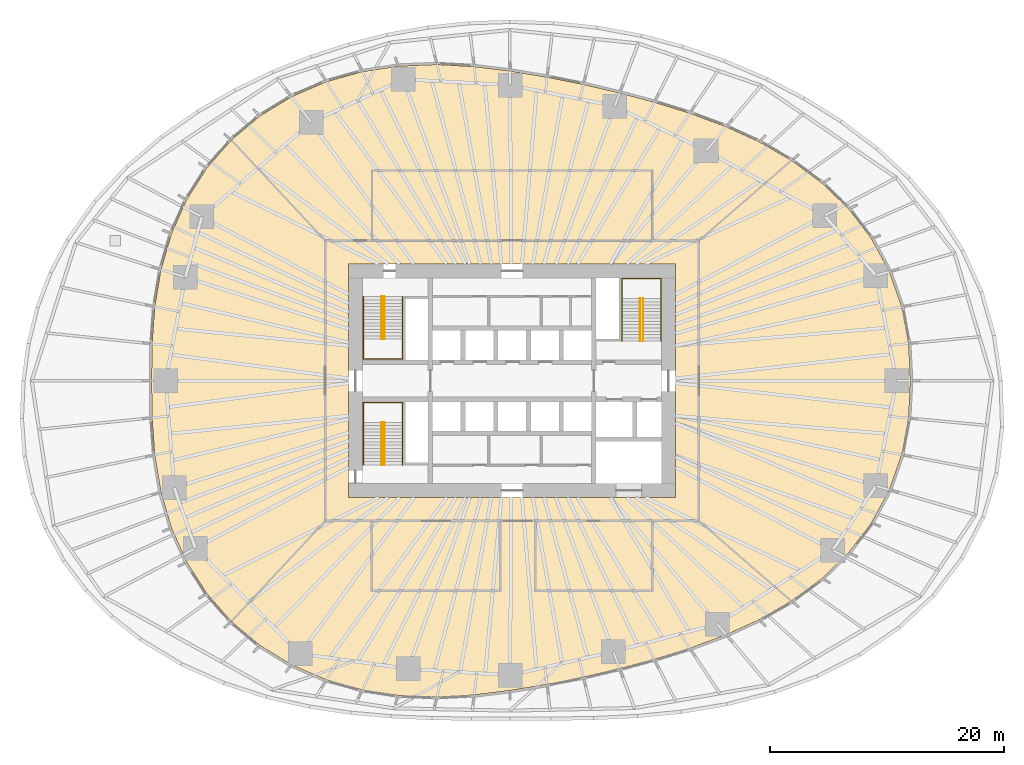
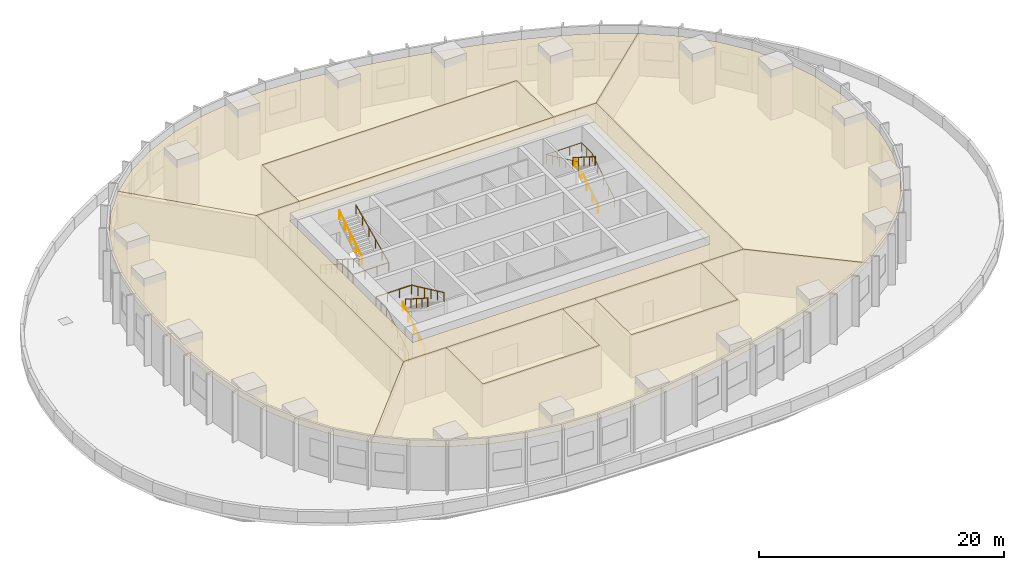
# One storey, part 11 of 11: 9 railings, 8 coverings.
"""IFC4 building model written with IfcOpenShell, lengths in metres."""

from ifc_helpers import new_model, si_unit, direction, frame, origin, origin_2d, place, context, subcontext, project, spatial, polyline, circle, outline, extrude, material, layer, layer_set, type_object, element, save


model = new_model("IFC4")

# Units and contexts
model_context = context("Model", 3, precision=1e-05, world=origin(), true_north=direction((0.0, 1.0)))
body_context = subcontext(model_context, "Body", "Model", "MODEL_VIEW")
ifc_project = project(units=[si_unit("LENGTHUNIT", "METRE"), si_unit("AREAUNIT", "SQUARE_METRE"), si_unit("VOLUMEUNIT", "CUBIC_METRE"), si_unit("PLANEANGLEUNIT", "RADIAN"), si_unit("MASSUNIT", "GRAM", prefix="KILO")], contexts=[model_context])

# Site, building, storey
site_placement = place(None, origin())
site = spatial("IfcSite", under=ifc_project, at=site_placement, CompositionType="ELEMENT")
building_placement = place(site_placement, origin())
building = spatial("IfcBuilding", under=site, at=building_placement, Name="Ghaith Harvest Tower", CompositionType="ELEMENT")
storey_placement = place(building_placement, frame((0.0, 0.0, 15.0)))
storey = spatial("IfcBuildingStorey", under=building, at=storey_placement, Name="L03", CompositionType="ELEMENT", Elevation=15.0)

# Coverings
ifc_material_1 = material(Name="Mineral fibre ceiling tile", Category="gypsum")
ifc_layer = layer(ifc_material_1, 0.02490234375)
ifc_layer_set = layer_set([ifc_layer], Name="CEILING C2")
covering_type = type_object("IfcCoveringType", Name="CEILING C2", PredefinedType="CEILING", material=ifc_layer_set)
covering_1_placement = place(storey_placement, frame((0.0, 0.0, 4.199951171875)))
element("IfcCovering", 1, at=covering_1_placement, inside=storey, type_object=covering_type, Name="Ceiling L03-01", PredefinedType="CEILING", context=body_context, shape_type="SweptSolid", body=[
    extrude(outline(polyline([(-12.0, 12.0), (12.0, 12.0), (12.0, 18.0), (-12.0, 18.0), (-12.0, 12.0)])), origin(), (0.0, 0.0, 1.0), 0.025146484375),
])
covering_2_placement = place(storey_placement, frame((0.0, 0.0, 4.199951171875)))
element("IfcCovering", 2, at=covering_2_placement, inside=storey, type_object=covering_type, Name="Ceiling L03-02", PredefinedType="CEILING", context=body_context, shape_type="SweptSolid", body=[
    extrude(outline(polyline([(-12.0, -18.0), (-1.0, -18.0), (-1.0, -12.0), (-12.0, -12.0), (-12.0, -18.0)])), origin(), (0.0, 0.0, 1.0), 0.025146484375),
])
covering_3_placement = place(storey_placement, frame((0.0, 0.0, 4.199951171875)))
element("IfcCovering", 3, at=covering_3_placement, inside=storey, type_object=covering_type, Name="Ceiling L03-03", PredefinedType="CEILING", context=body_context, shape_type="SweptSolid", body=[
    extrude(outline(polyline([(2.0, -18.0), (12.0, -18.0), (12.0, -12.0), (2.0, -12.0), (2.0, -18.0)])), origin(), (0.0, 0.0, 1.0), 0.025146484375),
])
covering_4_placement = place(storey_placement, frame((0.0, 0.0, 4.199951171875)))
element("IfcCovering", 4, at=covering_4_placement, inside=storey, type_object=covering_type, Name="Ceiling L03-C1", PredefinedType="CEILING", context=body_context, shape_type="SweptSolid", body=[
    extrude(outline(polyline([(-16.0, 12.0), (16.0, 12.0), (16.0, -12.0), (-16.0, -12.0), (-16.0, 12.0)]), holes=[polyline([(14.0, -10.0), (14.0, 10.0), (-14.0, 10.0), (-14.0, -10.0), (14.0, -10.0)])]), origin(), (0.0, 0.0, 1.0), 0.025146484375),
])
covering_5_placement = place(storey_placement, frame((0.0, 0.0, 4.199951171875)))
element("IfcCovering", 5, at=covering_5_placement, inside=storey, type_object=covering_type, Name="Ceiling L03-N1", PredefinedType="CEILING", context=body_context, shape_type="SweptSolid", body=[
    extrude(outline(polyline([(-21.59912109375, 22.671142578125), (-18.8935546875, 24.32763671875), (-15.907958984375, 25.614501953125), (-12.828125, 26.476806640625), (-9.733642578125, 26.949951171875), (-6.4375, 27.0849609375), (-3.24755859375, 26.91064453125), (-0.181396484375, 26.527099609375), (2.99560546875, 26.004150390625), (6.10888671875, 25.378662109375), (9.21533203125, 24.65087890625), (12.1796875, 23.857666015625), (15.22119140625, 22.916259765625), (18.34521484375, 21.7548828125), (21.149169921875, 20.469482421875), (23.92431640625, 18.873046875), (16.0, 12.0), (12.0, 12.0), (12.0, 18.0), (-12.0, 18.0), (-12.0, 12.0), (-16.0, 12.0), (-24.04833984375, 20.618408203125), (-21.59912109375, 22.671142578125)])), origin(), (0.0, 0.0, 1.0), 0.025146484375),
])
covering_6_placement = place(storey_placement, frame((0.0, 0.0, 4.199951171875)))
element("IfcCovering", 6, at=covering_6_placement, inside=storey, type_object=covering_type, Name="Ceiling L03-E1", PredefinedType="CEILING", context=body_context, shape_type="SweptSolid", body=[
    extrude(outline(polyline([(26.572509765625, -16.9111328125), (23.92431640625, -18.873046875), (16.0, -12.0), (16.0, 12.0), (23.92431640625, 18.873046875), (26.572509765625, 16.9111328125), (28.840087890625, 14.708984375), (30.78515625, 12.1708984375), (32.318359375, 9.3408203125), (33.37158203125, 6.333984375), (33.95849609375, 3.194091796875), (34.125, 0.0), (33.95849609375, -3.194091796875), (33.37158203125, -6.333984375), (32.318359375, -9.3408203125), (30.78515625, -12.1708984375), (28.840087890625, -14.708984375), (26.572509765625, -16.9111328125)])), origin(), (0.0, 0.0, 1.0), 0.025146484375),
])
covering_7_placement = place(storey_placement, frame((0.0, 0.0, 4.199951171875)))
element("IfcCovering", 7, at=covering_7_placement, inside=storey, type_object=covering_type, Name="Ceiling L03-S1", PredefinedType="CEILING", context=body_context, shape_type="SweptSolid", body=[
    extrude(outline(polyline([(21.149169921875, -20.469482421875), (18.34521484375, -21.7548828125), (15.22119140625, -22.916259765625), (12.1796875, -23.857666015625), (9.21533203125, -24.65087890625), (6.10888671875, -25.378662109375), (2.99560546875, -26.004150390625), (-0.181396484375, -26.527099609375), (-3.24755859375, -26.91064453125), (-6.4375, -27.0849609375), (-9.733642578125, -26.949951171875), (-12.828125, -26.476806640625), (-15.907958984375, -25.614501953125), (-18.8935546875, -24.32763671875), (-21.59912109375, -22.671142578125), (-24.04833984375, -20.618408203125), (-16.0, -12.0), (-12.0, -12.0), (-12.0, -18.0), (-1.0, -18.0), (-1.0, -12.0), (2.0, -12.0), (2.0, -18.0), (12.0, -18.0), (12.0, -12.0), (16.0, -12.0), (23.92431640625, -18.873046875), (21.149169921875, -20.469482421875)])), origin(), (0.0, 0.0, 1.0), 0.025146484375),
])
covering_8_placement = place(storey_placement, frame((0.0, 0.0, 4.199951171875)))
element("IfcCovering", 8, at=covering_8_placement, inside=storey, type_object=covering_type, Name="Ceiling L03-W1", PredefinedType="CEILING", context=body_context, shape_type="SweptSolid", body=[
    extrude(outline(polyline([(-26.16455078125, -18.20556640625), (-27.881591796875, -15.507080078125), (-29.182373046875, -12.587890625), (-30.073974609375, -9.531005859375), (-30.606689453125, -6.35107421875), (-30.837158203125, -3.165771484375), (-30.875, 0.0), (-30.837158203125, 3.165771484375), (-30.606689453125, 6.35107421875), (-30.073974609375, 9.531005859375), (-29.182373046875, 12.587890625), (-27.881591796875, 15.507080078125), (-26.16455078125, 18.20556640625), (-24.04833984375, 20.618408203125), (-16.0, 12.0), (-16.0, -12.0), (-24.04833984375, -20.618408203125), (-26.16455078125, -18.20556640625)])), origin(), (0.0, 0.0, 1.0), 0.025146484375),
])

# Railings
ifc_material_2 = material(Name="Steel, black powder-coated", Category="steel")
railing_type = type_object("IfcRailingType", Name="HANDRAIL HR1", PredefinedType="HANDRAIL", material=ifc_material_2)
railing_1_placement = place(storey_placement, frame((-11.199951171875, 7.199951171875, 0.178466796875)))
element("IfcRailing", 9, at=railing_1_placement, inside=storey, type_object=railing_type, Name="Handrail HR1 stair ST1 L03 flight 1 inner", PredefinedType="HANDRAIL", context=body_context, shape_type="SweptSolid", body=[
    extrude(circle(Radius=0.02392578125, at=origin_2d()), frame((0.0, 0.0, 0.8759765625), z_axis=(0.0, -0.843111507901, 0.53773877045), x_axis=(1.0, 0.0, 0.0)), (0.0, 0.0, 1.0), 4.317138671875),
    extrude(circle(Radius=0.02099609375, at=origin_2d()), origin(), (0.0, 0.0, 1.0), 0.851806640625),
    extrude(circle(Radius=0.02099609375, at=origin_2d()), frame((0.0, -0.909912109375, 0.580322265625)), (0.0, 0.0, 1.0), 0.851806640625),
    extrude(circle(Radius=0.02099609375, at=origin_2d()), frame((0.0, -1.81982421875, 1.16064453125)), (0.0, 0.0, 1.0), 0.851806640625),
    extrude(circle(Radius=0.02099609375, at=origin_2d()), frame((0.0, -2.72998046875, 1.7412109375)), (0.0, 0.0, 1.0), 0.851806640625),
    extrude(circle(Radius=0.02099609375, at=origin_2d()), frame((0.0, -3.639892578125, 2.321533203125)), (0.0, 0.0, 1.0), 0.851806640625),
])
railing_2_placement = place(storey_placement, frame((-10.949951171875, 3.56005859375, 2.678466796875)))
element("IfcRailing", 10, at=railing_2_placement, inside=storey, type_object=railing_type, Name="Handrail HR1 stair ST1 L03 flight 2 inner", PredefinedType="HANDRAIL", context=body_context, shape_type="SweptSolid", body=[
    extrude(circle(Radius=0.02392578125, at=origin_2d()), frame((0.0, 0.0, 0.8759765625), z_axis=(0.0, 0.843111507901, 0.53773877045), x_axis=(-1.0, 0.0, 0.0)), (0.0, 0.0, 1.0), 4.317138671875),
    extrude(circle(Radius=0.02099609375, at=origin_2d()), origin(), (0.0, 0.0, 1.0), 0.851806640625),
    extrude(circle(Radius=0.02099609375, at=origin_2d()), frame((0.0, 0.909912109375, 0.580322265625)), (0.0, 0.0, 1.0), 0.851806640625),
    extrude(circle(Radius=0.02099609375, at=origin_2d()), frame((0.0, 1.81982421875, 1.16064453125)), (0.0, 0.0, 1.0), 0.851806640625),
    extrude(circle(Radius=0.02099609375, at=origin_2d()), frame((0.0, 2.72998046875, 1.7412109375)), (0.0, 0.0, 1.0), 0.851806640625),
    extrude(circle(Radius=0.02099609375, at=origin_2d()), frame((0.0, 3.639892578125, 2.321533203125)), (0.0, 0.0, 1.0), 0.851806640625),
])
railing_3_placement = place(storey_placement, frame((-12.75, 7.199951171875, 0.178466796875)))
element("IfcRailing", 11, at=railing_3_placement, inside=storey, type_object=railing_type, Name="Handrail HR1 stair ST1 L03 wall side", PredefinedType="HANDRAIL", context=body_context, shape_type="SweptSolid", body=[
    extrude(circle(Radius=0.02392578125, at=origin_2d()), frame((0.0, 0.0, 0.8759765625), z_axis=(0.0, -0.843111507901, 0.53773877045), x_axis=(1.0, 0.0, 0.0)), (0.0, 0.0, 1.0), 4.317138671875),
    extrude(circle(Radius=0.02392578125, at=origin_2d()), frame((0.0, -3.639892578125, 3.197265625), z_axis=(0.0, -1.0, 0.0), x_axis=(1.0, 0.0, 0.0)), (0.0, 0.0, 1.0), 1.7099609375),
    extrude(circle(Radius=0.02392578125, at=origin_2d()), frame((0.0, -5.349853515625, 3.197265625), z_axis=(1.0, 0.0, 0.0), x_axis=(0.0, 1.0, 0.0)), (0.0, 0.0, 1.0), 3.35009765625),
    extrude(circle(Radius=0.02392578125, at=origin_2d()), frame((3.35009765625, -5.349853515625, 3.197265625), z_axis=(0.0, 0.905962265858, 0.423358444868), x_axis=(-1.0, 0.0, 0.0)), (0.0, 0.0, 1.0), 5.9052734375),
    extrude(circle(Radius=0.02099609375, at=origin_2d()), origin(), (0.0, 0.0, 1.0), 0.851806640625),
    extrude(circle(Radius=0.02099609375, at=origin_2d()), frame((0.0, -0.909912109375, 0.580322265625)), (0.0, 0.0, 1.0), 0.851806640625),
    extrude(circle(Radius=0.02099609375, at=origin_2d()), frame((0.0, -1.81982421875, 1.16064453125)), (0.0, 0.0, 1.0), 0.851806640625),
    extrude(circle(Radius=0.02099609375, at=origin_2d()), frame((0.0, -2.72998046875, 1.7412109375)), (0.0, 0.0, 1.0), 0.851806640625),
    extrude(circle(Radius=0.02099609375, at=origin_2d()), frame((0.0, -3.639892578125, 2.321533203125)), (0.0, 0.0, 1.0), 0.851806640625),
    extrude(circle(Radius=0.02099609375, at=origin_2d()), frame((0.0, -4.494873046875, 2.321533203125)), (0.0, 0.0, 1.0), 0.851806640625),
    extrude(circle(Radius=0.02099609375, at=origin_2d()), frame((0.0, -5.349853515625, 2.321533203125)), (0.0, 0.0, 1.0), 0.851806640625),
    extrude(circle(Radius=0.02099609375, at=origin_2d()), frame((1.11669921875, -5.349853515625, 2.321533203125)), (0.0, 0.0, 1.0), 0.851806640625),
    extrude(circle(Radius=0.02099609375, at=origin_2d()), frame((2.2333984375, -5.349853515625, 2.321533203125)), (0.0, 0.0, 1.0), 0.851806640625),
    extrude(circle(Radius=0.02099609375, at=origin_2d()), frame((3.35009765625, -5.349853515625, 2.321533203125)), (0.0, 0.0, 1.0), 0.851806640625),
    extrude(circle(Radius=0.02099609375, at=origin_2d()), frame((3.35009765625, -4.27978515625, 2.821533203125)), (0.0, 0.0, 1.0), 0.851806640625),
    extrude(circle(Radius=0.02099609375, at=origin_2d()), frame((3.35009765625, -3.2099609375, 3.321533203125)), (0.0, 0.0, 1.0), 0.851806640625),
    extrude(circle(Radius=0.02099609375, at=origin_2d()), frame((3.35009765625, -2.139892578125, 3.821533203125)), (0.0, 0.0, 1.0), 0.851806640625),
    extrude(circle(Radius=0.02099609375, at=origin_2d()), frame((3.35009765625, -1.070068359375, 4.321533203125)), (0.0, 0.0, 1.0), 0.851806640625),
    extrude(circle(Radius=0.02099609375, at=origin_2d()), frame((3.35009765625, 0.0, 4.821533203125)), (0.0, 0.0, 1.0), 0.851806640625),
])
railing_4_placement = place(storey_placement, frame((-11.199951171875, -7.199951171875, 0.178466796875)))
element("IfcRailing", 12, at=railing_4_placement, inside=storey, type_object=railing_type, Name="Handrail HR1 stair ST3 L03 flight 1 inner", PredefinedType="HANDRAIL", context=body_context, shape_type="SweptSolid", body=[
    extrude(circle(Radius=0.02392578125, at=origin_2d()), frame((0.0, 0.0, 0.8759765625), z_axis=(0.0, 0.843111507901, 0.53773877045), x_axis=(-1.0, 0.0, 0.0)), (0.0, 0.0, 1.0), 4.317138671875),
    extrude(circle(Radius=0.02099609375, at=origin_2d()), origin(), (0.0, 0.0, 1.0), 0.851806640625),
    extrude(circle(Radius=0.02099609375, at=origin_2d()), frame((0.0, 0.909912109375, 0.580322265625)), (0.0, 0.0, 1.0), 0.851806640625),
    extrude(circle(Radius=0.02099609375, at=origin_2d()), frame((0.0, 1.81982421875, 1.16064453125)), (0.0, 0.0, 1.0), 0.851806640625),
    extrude(circle(Radius=0.02099609375, at=origin_2d()), frame((0.0, 2.72998046875, 1.7412109375)), (0.0, 0.0, 1.0), 0.851806640625),
    extrude(circle(Radius=0.02099609375, at=origin_2d()), frame((0.0, 3.639892578125, 2.321533203125)), (0.0, 0.0, 1.0), 0.851806640625),
])
railing_5_placement = place(storey_placement, frame((-10.949951171875, -3.56005859375, 2.678466796875)))
element("IfcRailing", 13, at=railing_5_placement, inside=storey, type_object=railing_type, Name="Handrail HR1 stair ST3 L03 flight 2 inner", PredefinedType="HANDRAIL", context=body_context, shape_type="SweptSolid", body=[
    extrude(circle(Radius=0.02392578125, at=origin_2d()), frame((0.0, 0.0, 0.8759765625), z_axis=(0.0, -0.843111507901, 0.53773877045), x_axis=(1.0, 0.0, 0.0)), (0.0, 0.0, 1.0), 4.317138671875),
    extrude(circle(Radius=0.02099609375, at=origin_2d()), origin(), (0.0, 0.0, 1.0), 0.851806640625),
    extrude(circle(Radius=0.02099609375, at=origin_2d()), frame((0.0, -0.909912109375, 0.580322265625)), (0.0, 0.0, 1.0), 0.851806640625),
    extrude(circle(Radius=0.02099609375, at=origin_2d()), frame((0.0, -1.81982421875, 1.16064453125)), (0.0, 0.0, 1.0), 0.851806640625),
    extrude(circle(Radius=0.02099609375, at=origin_2d()), frame((0.0, -2.72998046875, 1.7412109375)), (0.0, 0.0, 1.0), 0.851806640625),
    extrude(circle(Radius=0.02099609375, at=origin_2d()), frame((0.0, -3.639892578125, 2.321533203125)), (0.0, 0.0, 1.0), 0.851806640625),
])
railing_6_placement = place(storey_placement, frame((-12.75, -7.199951171875, 0.178466796875)))
element("IfcRailing", 14, at=railing_6_placement, inside=storey, type_object=railing_type, Name="Handrail HR1 stair ST3 L03 wall side", PredefinedType="HANDRAIL", context=body_context, shape_type="SweptSolid", body=[
    extrude(circle(Radius=0.02392578125, at=origin_2d()), frame((0.0, 0.0, 0.8759765625), z_axis=(0.0, 0.843111507901, 0.53773877045), x_axis=(-1.0, 0.0, 0.0)), (0.0, 0.0, 1.0), 4.317138671875),
    extrude(circle(Radius=0.02392578125, at=origin_2d()), frame((0.0, 3.639892578125, 3.197265625), z_axis=(0.0, 1.0, 0.0), x_axis=(-1.0, 0.0, 0.0)), (0.0, 0.0, 1.0), 1.7099609375),
    extrude(circle(Radius=0.02392578125, at=origin_2d()), frame((0.0, 5.349853515625, 3.197265625), z_axis=(1.0, 0.0, 0.0), x_axis=(0.0, 1.0, 0.0)), (0.0, 0.0, 1.0), 3.35009765625),
    extrude(circle(Radius=0.02392578125, at=origin_2d()), frame((3.35009765625, 5.349853515625, 3.197265625), z_axis=(0.0, -0.905962265858, 0.423358444868), x_axis=(1.0, 0.0, 0.0)), (0.0, 0.0, 1.0), 5.9052734375),
    extrude(circle(Radius=0.02099609375, at=origin_2d()), origin(), (0.0, 0.0, 1.0), 0.851806640625),
    extrude(circle(Radius=0.02099609375, at=origin_2d()), frame((0.0, 0.909912109375, 0.580322265625)), (0.0, 0.0, 1.0), 0.851806640625),
    extrude(circle(Radius=0.02099609375, at=origin_2d()), frame((0.0, 1.81982421875, 1.16064453125)), (0.0, 0.0, 1.0), 0.851806640625),
    extrude(circle(Radius=0.02099609375, at=origin_2d()), frame((0.0, 2.72998046875, 1.7412109375)), (0.0, 0.0, 1.0), 0.851806640625),
    extrude(circle(Radius=0.02099609375, at=origin_2d()), frame((0.0, 3.639892578125, 2.321533203125)), (0.0, 0.0, 1.0), 0.851806640625),
    extrude(circle(Radius=0.02099609375, at=origin_2d()), frame((0.0, 4.494873046875, 2.321533203125)), (0.0, 0.0, 1.0), 0.851806640625),
    extrude(circle(Radius=0.02099609375, at=origin_2d()), frame((0.0, 5.349853515625, 2.321533203125)), (0.0, 0.0, 1.0), 0.851806640625),
    extrude(circle(Radius=0.02099609375, at=origin_2d()), frame((1.11669921875, 5.349853515625, 2.321533203125)), (0.0, 0.0, 1.0), 0.851806640625),
    extrude(circle(Radius=0.02099609375, at=origin_2d()), frame((2.2333984375, 5.349853515625, 2.321533203125)), (0.0, 0.0, 1.0), 0.851806640625),
    extrude(circle(Radius=0.02099609375, at=origin_2d()), frame((3.35009765625, 5.349853515625, 2.321533203125)), (0.0, 0.0, 1.0), 0.851806640625),
    extrude(circle(Radius=0.02099609375, at=origin_2d()), frame((3.35009765625, 4.27978515625, 2.821533203125)), (0.0, 0.0, 1.0), 0.851806640625),
    extrude(circle(Radius=0.02099609375, at=origin_2d()), frame((3.35009765625, 3.2099609375, 3.321533203125)), (0.0, 0.0, 1.0), 0.851806640625),
    extrude(circle(Radius=0.02099609375, at=origin_2d()), frame((3.35009765625, 2.139892578125, 3.821533203125)), (0.0, 0.0, 1.0), 0.851806640625),
    extrude(circle(Radius=0.02099609375, at=origin_2d()), frame((3.35009765625, 1.070068359375, 4.321533203125)), (0.0, 0.0, 1.0), 0.851806640625),
    extrude(circle(Radius=0.02099609375, at=origin_2d()), frame((3.35009765625, 0.0, 4.821533203125)), (0.0, 0.0, 1.0), 0.851806640625),
])
railing_7_placement = place(storey_placement, frame((11.199951171875, 3.39990234375, 0.178466796875)))
element("IfcRailing", 15, at=railing_7_placement, inside=storey, type_object=railing_type, Name="Handrail HR1 stair ST2 L03 flight 1 inner", PredefinedType="HANDRAIL", context=body_context, shape_type="SweptSolid", body=[
    extrude(circle(Radius=0.02392578125, at=origin_2d()), frame((0.0, 0.0, 0.8759765625), z_axis=(0.0, 0.843127859045, 0.537713132908), x_axis=(-1.0, 0.0, 0.0)), (0.0, 0.0, 1.0), 4.3173828125),
    extrude(circle(Radius=0.02099609375, at=origin_2d()), origin(), (0.0, 0.0, 1.0), 0.851806640625),
    extrude(circle(Radius=0.02099609375, at=origin_2d()), frame((0.0, 0.91015625, 0.580322265625)), (0.0, 0.0, 1.0), 0.851806640625),
    extrude(circle(Radius=0.02099609375, at=origin_2d()), frame((0.0, 1.820068359375, 1.16064453125)), (0.0, 0.0, 1.0), 0.851806640625),
    extrude(circle(Radius=0.02099609375, at=origin_2d()), frame((0.0, 2.72998046875, 1.7412109375)), (0.0, 0.0, 1.0), 0.851806640625),
    extrude(circle(Radius=0.02099609375, at=origin_2d()), frame((0.0, 3.64013671875, 2.321533203125)), (0.0, 0.0, 1.0), 0.851806640625),
])
railing_8_placement = place(storey_placement, frame((10.949951171875, 7.0400390625, 2.678466796875)))
element("IfcRailing", 16, at=railing_8_placement, inside=storey, type_object=railing_type, Name="Handrail HR1 stair ST2 L03 flight 2 inner", PredefinedType="HANDRAIL", context=body_context, shape_type="SweptSolid", body=[
    extrude(circle(Radius=0.02392578125, at=origin_2d()), frame((0.0, 0.0, 0.8759765625), z_axis=(0.0, -0.843127859045, 0.537713132908), x_axis=(1.0, 0.0, 0.0)), (0.0, 0.0, 1.0), 4.3173828125),
    extrude(circle(Radius=0.02099609375, at=origin_2d()), origin(), (0.0, 0.0, 1.0), 0.851806640625),
    extrude(circle(Radius=0.02099609375, at=origin_2d()), frame((0.0, -0.91015625, 0.580322265625)), (0.0, 0.0, 1.0), 0.851806640625),
    extrude(circle(Radius=0.02099609375, at=origin_2d()), frame((0.0, -1.820068359375, 1.16064453125)), (0.0, 0.0, 1.0), 0.851806640625),
    extrude(circle(Radius=0.02099609375, at=origin_2d()), frame((0.0, -2.72998046875, 1.7412109375)), (0.0, 0.0, 1.0), 0.851806640625),
    extrude(circle(Radius=0.02099609375, at=origin_2d()), frame((0.0, -3.64013671875, 2.321533203125)), (0.0, 0.0, 1.0), 0.851806640625),
])
railing_9_placement = place(storey_placement, frame((12.75, 3.39990234375, 0.178466796875)))
element("IfcRailing", 17, at=railing_9_placement, inside=storey, type_object=railing_type, Name="Handrail HR1 stair ST2 L03 wall side", PredefinedType="HANDRAIL", context=body_context, shape_type="SweptSolid", body=[
    extrude(circle(Radius=0.02392578125, at=origin_2d()), frame((0.0, 0.0, 0.8759765625), z_axis=(0.0, 0.843127859045, 0.537713132908), x_axis=(-1.0, 0.0, 0.0)), (0.0, 0.0, 1.0), 4.3173828125),
    extrude(circle(Radius=0.02392578125, at=origin_2d()), frame((0.0, 3.64013671875, 3.197265625), z_axis=(0.0, 1.0, 0.0), x_axis=(-1.0, 0.0, 0.0)), (0.0, 0.0, 1.0), 1.7099609375),
    extrude(circle(Radius=0.02392578125, at=origin_2d()), frame((0.0, 5.35009765625, 3.197265625), z_axis=(-1.0, 0.0, 0.0), x_axis=(0.0, -1.0, 0.0)), (0.0, 0.0, 1.0), 3.35009765625),
    extrude(circle(Radius=0.02392578125, at=origin_2d()), frame((-3.35009765625, 5.35009765625, 3.197265625), z_axis=(0.0, -0.905969675553, 0.423342588193), x_axis=(1.0, 0.0, 0.0)), (0.0, 0.0, 1.0), 5.9052734375),
    extrude(circle(Radius=0.02099609375, at=origin_2d()), origin(), (0.0, 0.0, 1.0), 0.851806640625),
    extrude(circle(Radius=0.02099609375, at=origin_2d()), frame((0.0, 0.91015625, 0.580322265625)), (0.0, 0.0, 1.0), 0.851806640625),
    extrude(circle(Radius=0.02099609375, at=origin_2d()), frame((0.0, 1.820068359375, 1.16064453125)), (0.0, 0.0, 1.0), 0.851806640625),
    extrude(circle(Radius=0.02099609375, at=origin_2d()), frame((0.0, 2.72998046875, 1.7412109375)), (0.0, 0.0, 1.0), 0.851806640625),
    extrude(circle(Radius=0.02099609375, at=origin_2d()), frame((0.0, 3.64013671875, 2.321533203125)), (0.0, 0.0, 1.0), 0.851806640625),
    extrude(circle(Radius=0.02099609375, at=origin_2d()), frame((0.0, 4.4951171875, 2.321533203125)), (0.0, 0.0, 1.0), 0.851806640625),
    extrude(circle(Radius=0.02099609375, at=origin_2d()), frame((0.0, 5.35009765625, 2.321533203125)), (0.0, 0.0, 1.0), 0.851806640625),
    extrude(circle(Radius=0.02099609375, at=origin_2d()), frame((-1.11669921875, 5.35009765625, 2.321533203125)), (0.0, 0.0, 1.0), 0.851806640625),
    extrude(circle(Radius=0.02099609375, at=origin_2d()), frame((-2.2333984375, 5.35009765625, 2.321533203125)), (0.0, 0.0, 1.0), 0.851806640625),
    extrude(circle(Radius=0.02099609375, at=origin_2d()), frame((-3.35009765625, 5.35009765625, 2.321533203125)), (0.0, 0.0, 1.0), 0.851806640625),
    extrude(circle(Radius=0.02099609375, at=origin_2d()), frame((-3.35009765625, 4.280029296875, 2.821533203125)), (0.0, 0.0, 1.0), 0.851806640625),
    extrude(circle(Radius=0.02099609375, at=origin_2d()), frame((-3.35009765625, 3.2099609375, 3.321533203125)), (0.0, 0.0, 1.0), 0.851806640625),
    extrude(circle(Radius=0.02099609375, at=origin_2d()), frame((-3.35009765625, 2.14013671875, 3.821533203125)), (0.0, 0.0, 1.0), 0.851806640625),
    extrude(circle(Radius=0.02099609375, at=origin_2d()), frame((-3.35009765625, 1.070068359375, 4.321533203125)), (0.0, 0.0, 1.0), 0.851806640625),
    extrude(circle(Radius=0.02099609375, at=origin_2d()), frame((-3.35009765625, 0.0, 4.821533203125)), (0.0, 0.0, 1.0), 0.851806640625),
])

save(model, "model.ifc")
